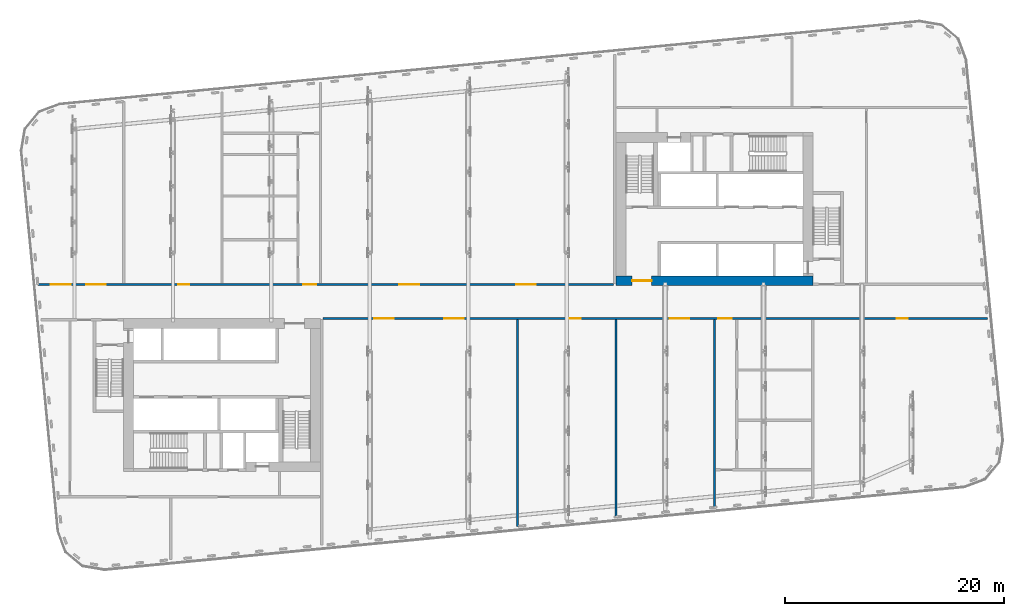
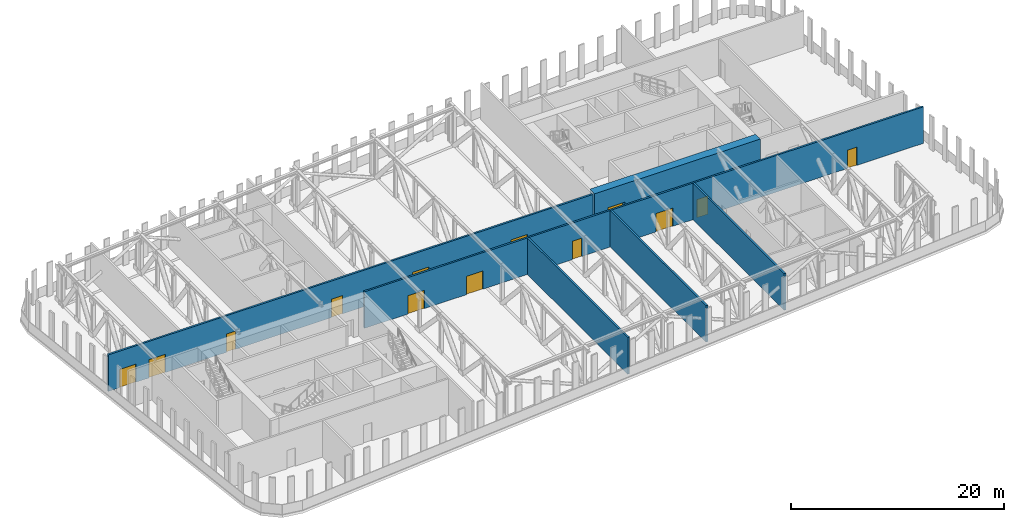
# One storey, part 9 of 22: 13 doors, 6 walls, 13 openings.
"""IFC4 building model written with IfcOpenShell, lengths in metres."""

from ifc_helpers import new_model, si_unit, direction, frame, frame_2d, origin, place, context, subcontext, project, spatial, rectangle, extrude, material, layer, layer_set, type_object, element, fill, save


model = new_model("IFC4")

# Units and contexts
model_context = context("Model", 3, precision=1e-05, world=origin(), true_north=direction((0.0, 1.0)))
body_context = subcontext(model_context, "Body", "Model", "MODEL_VIEW")
ifc_project = project(units=[si_unit("LENGTHUNIT", "METRE"), si_unit("AREAUNIT", "SQUARE_METRE"), si_unit("VOLUMEUNIT", "CUBIC_METRE"), si_unit("PLANEANGLEUNIT", "RADIAN"), si_unit("MASSUNIT", "GRAM", prefix="KILO")], contexts=[model_context])

# Site, building, storey
site_placement = place(None, origin())
site = spatial("IfcSite", under=ifc_project, at=site_placement, CompositionType="ELEMENT")
building_placement = place(site_placement, origin())
building = spatial("IfcBuilding", under=site, at=building_placement, Name="Kajstack Hotel Tower", CompositionType="ELEMENT")
storey_placement = place(building_placement, frame((0.0, 0.0, 150.39990234375)))
storey = spatial("IfcBuildingStorey", under=building, at=storey_placement, Name="L35", CompositionType="ELEMENT", Elevation=150.39990234375)

# Wall, opening, door
ifc_material_1 = material(Name="Concrete C60/75", Category="concrete")
ifc_layer_1 = layer(ifc_material_1, 0.89990234375)
ifc_layer_set_1 = layer_set([ifc_layer_1], Name="Core wall 900")
wall_type_1 = type_object("IfcWallType", Name="Core wall 900", PredefinedType="SHEAR", material=ifc_layer_set_1)
wall_1_placement = place(storey_placement, frame((13.5, 1.949951171875, 0.0), z_axis=(0.0, 0.0, 1.0), x_axis=(1.0, 0.0, 0.0)))
wall_1 = element("IfcWall", 1, at=wall_1_placement, inside=storey, type_object=wall_type_1, Name="Core wall E RN", PredefinedType="SHEAR", context=body_context, shape_type="SweptSolid", body=[
    extrude(rectangle(XDim=18.0, YDim=0.89990234375, at=frame_2d((9.0, 0.0))), origin(), (0.0, 0.0, 1.0), 4.2001953125),
])
opening_1_placement = place(wall_1_placement, frame((1.47509765625, 0.0, 0.0)))
opening_1 = element("IfcOpeningElement", 2, at=opening_1_placement, cuts=wall_1, Name="Opening 35E06", PredefinedType="OPENING", context=body_context, shape_type="SweptSolid", body=[
    extrude(rectangle(XDim=1.800048828125, YDim=2.10009765625, at=frame_2d((0.89990234375, 1.050048828125))), frame((0.0, 0.4599609375, 0.0), z_axis=(0.0, -1.0, 0.0), x_axis=(1.0, 0.0, 0.0)), (0.0, 0.0, 1.0), 0.919921875),
])
ifc_material_2 = material(Name="Glazed steel frame, fire-rated glass", Category="steel")
door_type_1 = type_object("IfcDoorType", Name="Lobby double door 1800", OperationType="DOUBLE_DOOR_DOUBLE_SWING", PredefinedType="DOOR", material=ifc_material_2)
door_1_placement = place(opening_1_placement, origin())
door_1 = element("IfcDoor", 3, at=door_1_placement, inside=storey, type_object=door_type_1, Name="Door 35E06", OperationType="DOUBLE_DOOR_DOUBLE_SWING", OverallHeight=2.10009765625, OverallWidth=1.800048828125, PredefinedType="DOOR", context=body_context, shape_type="SweptSolid", body=[
    extrude(rectangle(XDim=1.800048828125, YDim=2.10009765625, at=frame_2d((0.89990234375, 1.050048828125))), frame((0.0, 0.02490234375, 0.0), z_axis=(0.0, -1.0, 0.0), x_axis=(1.0, 0.0, 0.0)), (0.0, 0.0, 1.0), 0.050048828125),
])
fill(opening_1, door_1)

# Wall, openings, doors
ifc_material_3 = material(Name="Gypsum board on steel studs, mineral wool", Category="steel")
ifc_layer_2 = layer(ifc_material_3, 0.199951171875)
ifc_layer_set_2 = layer_set([ifc_layer_2], Name="Public partition 200")
wall_type_2 = type_object("IfcWallType", Name="Public partition 200", PredefinedType="PARTITIONING", material=ifc_layer_set_2)
wall_2_placement = place(storey_placement, frame((-39.345458984375, 1.60009765625, 0.0), z_axis=(0.0, 0.0, 1.0), x_axis=(1.0, 0.0, 0.0)))
wall_2 = element("IfcWall", 4, at=wall_2_placement, inside=storey, type_object=wall_type_2, Name="Partition FW", PredefinedType="PARTITIONING", context=body_context, shape_type="SweptSolid", body=[
    extrude(rectangle(XDim=52.6455078125, YDim=0.199951171875, at=frame_2d((26.32275390625, 0.0))), origin(), (0.0, 0.0, 1.0), 4.2001953125),
])
opening_2_placement = place(wall_2_placement, frame((43.7353515625, 0.0, 0.0)))
opening_2 = element("IfcOpeningElement", 5, at=opening_2_placement, cuts=wall_2, Name="Opening 35P01", PredefinedType="OPENING", context=body_context, shape_type="SweptSolid", body=[
    extrude(rectangle(XDim=1.800048828125, YDim=2.10009765625, at=frame_2d((0.89990234375, 1.050048828125))), frame((0.0, 0.10986328125, 0.0), z_axis=(0.0, -1.0, 0.0), x_axis=(1.0, 0.0, 0.0)), (0.0, 0.0, 1.0), 0.219970703125),
])
opening_3_placement = place(wall_2_placement, frame((33.055419921875, 0.0, 0.0)))
opening_3 = element("IfcOpeningElement", 6, at=opening_3_placement, cuts=wall_2, Name="Opening 35P02", PredefinedType="OPENING", context=body_context, shape_type="SweptSolid", body=[
    extrude(rectangle(XDim=1.800048828125, YDim=2.10009765625, at=frame_2d((0.89990234375, 1.050048828125))), frame((0.0, 0.10986328125, 0.0), z_axis=(0.0, -1.0, 0.0), x_axis=(1.0, 0.0, 0.0)), (0.0, 0.0, 1.0), 0.219970703125),
])
opening_4_placement = place(wall_2_placement, frame((24.2705078125, 0.0, 0.0)))
opening_4 = element("IfcOpeningElement", 7, at=opening_4_placement, cuts=wall_2, Name="Opening 35P03", PredefinedType="OPENING", context=body_context, shape_type="SweptSolid", body=[
    extrude(rectangle(XDim=1.199951171875, YDim=2.10009765625, at=frame_2d((0.60009765625, 1.050048828125))), frame((0.0, 0.10986328125, 0.0), z_axis=(0.0, -1.0, 0.0), x_axis=(1.0, 0.0, 0.0)), (0.0, 0.0, 1.0), 0.219970703125),
])
opening_5_placement = place(wall_2_placement, frame((12.845458984375, 0.0, 0.0)))
opening_5 = element("IfcOpeningElement", 8, at=opening_5_placement, cuts=wall_2, Name="Opening 35P09", PredefinedType="OPENING", context=body_context, shape_type="SweptSolid", body=[
    extrude(rectangle(XDim=1.0, YDim=2.10009765625, at=frame_2d((0.5, 1.050048828125))), frame((0.0, 0.10986328125, 0.0), z_axis=(0.0, -1.0, 0.0), x_axis=(1.0, 0.0, 0.0)), (0.0, 0.0, 1.0), 0.219970703125),
])
opening_6_placement = place(wall_2_placement, frame((4.42333984375, 0.0, 0.0)))
opening_6 = element("IfcOpeningElement", 9, at=opening_6_placement, cuts=wall_2, Name="Opening 35P10", PredefinedType="OPENING", context=body_context, shape_type="SweptSolid", body=[
    extrude(rectangle(XDim=1.800048828125, YDim=2.10009765625, at=frame_2d((0.89990234375, 1.050048828125))), frame((0.0, 0.10986328125, 0.0), z_axis=(0.0, -1.0, 0.0), x_axis=(1.0, 0.0, 0.0)), (0.0, 0.0, 1.0), 0.219970703125),
])
opening_7_placement = place(wall_2_placement, frame((1.1943359375, 0.0, 0.0)))
opening_7 = element("IfcOpeningElement", 10, at=opening_7_placement, cuts=wall_2, Name="Opening 35P11", PredefinedType="OPENING", context=body_context, shape_type="SweptSolid", body=[
    extrude(rectangle(XDim=1.800048828125, YDim=2.10009765625, at=frame_2d((0.89990234375, 1.050048828125))), frame((0.0, 0.10986328125, 0.0), z_axis=(0.0, -1.0, 0.0), x_axis=(1.0, 0.0, 0.0)), (0.0, 0.0, 1.0), 0.219970703125),
])
ifc_material_4 = material(Name="Timber leaf, fire-rated", Category="wood")
door_type_2 = type_object("IfcDoorType", Name="Public corridor door 1200", OperationType="SINGLE_SWING_LEFT", PredefinedType="DOOR", material=ifc_material_4)
door_2_placement = place(opening_4_placement, origin())
door_2 = element("IfcDoor", 11, at=door_2_placement, inside=storey, type_object=door_type_2, Name="Door 35P03", OperationType="SINGLE_SWING_LEFT", OverallHeight=2.10009765625, OverallWidth=1.199951171875, PredefinedType="DOOR", context=body_context, shape_type="SweptSolid", body=[
    extrude(rectangle(XDim=1.199951171875, YDim=2.10009765625, at=frame_2d((0.60009765625, 1.050048828125))), frame((0.0, 0.02490234375, 0.0), z_axis=(0.0, -1.0, 0.0), x_axis=(1.0, 0.0, 0.0)), (0.0, 0.0, 1.0), 0.050048828125),
])
fill(opening_4, door_2)
ifc_material_5 = material(Name="Glazed timber frame, fire-rated glass", Category="wood")
door_type_3 = type_object("IfcDoorType", Name="Public double door 1800", OperationType="DOUBLE_DOOR_DOUBLE_SWING", PredefinedType="DOOR", material=ifc_material_5)
door_3_placement = place(opening_2_placement, origin())
door_3 = element("IfcDoor", 12, at=door_3_placement, inside=storey, type_object=door_type_3, Name="Door 35P01", OperationType="DOUBLE_DOOR_DOUBLE_SWING", OverallHeight=2.10009765625, OverallWidth=1.800048828125, PredefinedType="DOOR", context=body_context, shape_type="SweptSolid", body=[
    extrude(rectangle(XDim=1.800048828125, YDim=2.10009765625, at=frame_2d((0.89990234375, 1.050048828125))), frame((0.0, 0.02490234375, 0.0), z_axis=(0.0, -1.0, 0.0), x_axis=(1.0, 0.0, 0.0)), (0.0, 0.0, 1.0), 0.050048828125),
])
fill(opening_2, door_3)
door_4_placement = place(opening_3_placement, origin())
door_4 = element("IfcDoor", 13, at=door_4_placement, inside=storey, type_object=door_type_3, Name="Door 35P02", OperationType="DOUBLE_DOOR_DOUBLE_SWING", OverallHeight=2.10009765625, OverallWidth=1.800048828125, PredefinedType="DOOR", context=body_context, shape_type="SweptSolid", body=[
    extrude(rectangle(XDim=1.800048828125, YDim=2.10009765625, at=frame_2d((0.89990234375, 1.050048828125))), frame((0.0, 0.02490234375, 0.0), z_axis=(0.0, -1.0, 0.0), x_axis=(1.0, 0.0, 0.0)), (0.0, 0.0, 1.0), 0.050048828125),
])
fill(opening_3, door_4)
door_5_placement = place(opening_6_placement, origin())
door_5 = element("IfcDoor", 14, at=door_5_placement, inside=storey, type_object=door_type_3, Name="Door 35P10", OperationType="DOUBLE_DOOR_DOUBLE_SWING", OverallHeight=2.10009765625, OverallWidth=1.800048828125, PredefinedType="DOOR", context=body_context, shape_type="SweptSolid", body=[
    extrude(rectangle(XDim=1.800048828125, YDim=2.10009765625, at=frame_2d((0.89990234375, 1.050048828125))), frame((0.0, 0.02490234375, 0.0), z_axis=(0.0, -1.0, 0.0), x_axis=(1.0, 0.0, 0.0)), (0.0, 0.0, 1.0), 0.050048828125),
])
fill(opening_6, door_5)
door_6_placement = place(opening_7_placement, origin())
door_6 = element("IfcDoor", 15, at=door_6_placement, inside=storey, type_object=door_type_3, Name="Door 35P11", OperationType="DOUBLE_DOOR_DOUBLE_SWING", OverallHeight=2.10009765625, OverallWidth=1.800048828125, PredefinedType="DOOR", context=body_context, shape_type="SweptSolid", body=[
    extrude(rectangle(XDim=1.800048828125, YDim=2.10009765625, at=frame_2d((0.89990234375, 1.050048828125))), frame((0.0, 0.02490234375, 0.0), z_axis=(0.0, -1.0, 0.0), x_axis=(1.0, 0.0, 0.0)), (0.0, 0.0, 1.0), 0.050048828125),
])
fill(opening_7, door_6)
ifc_material_6 = material(Name="Timber leaf", Category="wood")
door_type_4 = type_object("IfcDoorType", Name="Public room door 1000", OperationType="SINGLE_SWING_LEFT", PredefinedType="DOOR", material=ifc_material_6)
door_7_placement = place(opening_5_placement, origin())
door_7 = element("IfcDoor", 16, at=door_7_placement, inside=storey, type_object=door_type_4, Name="Door 35P09", OperationType="SINGLE_SWING_LEFT", OverallHeight=2.10009765625, OverallWidth=1.0, PredefinedType="DOOR", context=body_context, shape_type="SweptSolid", body=[
    extrude(rectangle(XDim=1.0, YDim=2.10009765625, at=frame_2d((0.5, 1.050048828125))), frame((0.0, 0.02490234375, 0.0), z_axis=(0.0, -1.0, 0.0), x_axis=(1.0, 0.0, 0.0)), (0.0, 0.0, 1.0), 0.050048828125),
])
fill(opening_5, door_7)

# Walls
wall_3_placement = place(storey_placement, frame((4.5, -20.499267578125, 0.0), z_axis=(0.0, 0.0, 1.0), x_axis=(0.0, 1.0, 0.0)))
element("IfcWall", 17, at=wall_3_placement, inside=storey, type_object=wall_type_2, Name="Partition SPX0", PredefinedType="PARTITIONING", context=body_context, shape_type="SweptSolid", body=[
    extrude(rectangle(XDim=18.899169921875, YDim=0.199951171875, at=frame_2d((9.44970703125, 0.0))), origin(), (0.0, 0.0, 1.0), 4.2001953125),
])
wall_4_placement = place(storey_placement, frame((13.5, -19.632568359375, 0.0), z_axis=(0.0, 0.0, 1.0), x_axis=(0.0, 1.0, 0.0)))
element("IfcWall", 18, at=wall_4_placement, inside=storey, type_object=wall_type_2, Name="Partition SPX1", PredefinedType="PARTITIONING", context=body_context, shape_type="SweptSolid", body=[
    extrude(rectangle(XDim=18.032470703125, YDim=0.199951171875, at=frame_2d((9.01611328125, 0.0))), origin(), (0.0, 0.0, 1.0), 4.2001953125),
])
wall_5_placement = place(storey_placement, frame((22.5, -18.76611328125, 0.0), z_axis=(0.0, 0.0, 1.0), x_axis=(0.0, 1.0, 0.0)))
element("IfcWall", 19, at=wall_5_placement, inside=storey, type_object=wall_type_2, Name="Partition SPX2", PredefinedType="PARTITIONING", context=body_context, shape_type="SweptSolid", body=[
    extrude(rectangle(XDim=17.166015625, YDim=0.199951171875, at=frame_2d((8.5830078125, 0.0))), origin(), (0.0, 0.0, 1.0), 4.2001953125),
])

# Wall, openings, doors
wall_6_placement = place(storey_placement, frame((-13.300048828125, -1.5, 0.0), z_axis=(0.0, 0.0, 1.0), x_axis=(1.0, 0.0, 0.0)))
wall_6 = element("IfcWall", 20, at=wall_6_placement, inside=storey, type_object=wall_type_2, Name="Partition SFW", PredefinedType="PARTITIONING", context=body_context, shape_type="SweptSolid", body=[
    extrude(rectangle(XDim=60.760986328125, YDim=0.199951171875, at=frame_2d((30.38037109375, 0.0))), origin(), (0.0, 0.0, 1.0), 4.2001953125),
])
opening_8_placement = place(wall_6_placement, frame((4.7099609375, 0.0, 0.0)))
opening_8 = element("IfcOpeningElement", 21, at=opening_8_placement, cuts=wall_6, Name="Opening 35P12", PredefinedType="OPENING", context=body_context, shape_type="SweptSolid", body=[
    extrude(rectangle(XDim=1.800048828125, YDim=2.10009765625, at=frame_2d((0.89990234375, 1.050048828125))), frame((0.0, 0.10986328125, 0.0), z_axis=(0.0, -1.0, 0.0), x_axis=(1.0, 0.0, 0.0)), (0.0, 0.0, 1.0), 0.219970703125),
])
opening_9_placement = place(wall_6_placement, frame((11.090087890625, 0.0, 0.0)))
opening_9 = element("IfcOpeningElement", 22, at=opening_9_placement, cuts=wall_6, Name="Opening 35P13", PredefinedType="OPENING", context=body_context, shape_type="SweptSolid", body=[
    extrude(rectangle(XDim=1.800048828125, YDim=2.10009765625, at=frame_2d((0.89990234375, 1.050048828125))), frame((0.0, 0.10986328125, 0.0), z_axis=(0.0, -1.0, 0.0), x_axis=(1.0, 0.0, 0.0)), (0.0, 0.0, 1.0), 0.219970703125),
])
opening_10_placement = place(wall_6_placement, frame((22.60009765625, 0.0, 0.0)))
opening_10 = element("IfcOpeningElement", 23, at=opening_10_placement, cuts=wall_6, Name="Opening 35P14", PredefinedType="OPENING", context=body_context, shape_type="SweptSolid", body=[
    extrude(rectangle(XDim=1.0, YDim=2.10009765625, at=frame_2d((0.5, 1.050048828125))), frame((0.0, 0.10986328125, 0.0), z_axis=(0.0, -1.0, 0.0), x_axis=(1.0, 0.0, 0.0)), (0.0, 0.0, 1.0), 0.219970703125),
])
opening_11_placement = place(wall_6_placement, frame((31.699951171875, 0.0, 0.0)))
opening_11 = element("IfcOpeningElement", 24, at=opening_11_placement, cuts=wall_6, Name="Opening 35P15", PredefinedType="OPENING", context=body_context, shape_type="SweptSolid", body=[
    extrude(rectangle(XDim=1.800048828125, YDim=2.10009765625, at=frame_2d((0.89990234375, 1.050048828125))), frame((0.0, 0.10986328125, 0.0), z_axis=(0.0, -1.0, 0.0), x_axis=(1.0, 0.0, 0.0)), (0.0, 0.0, 1.0), 0.219970703125),
])
opening_12_placement = place(wall_6_placement, frame((36.175048828125, 0.0, 0.0)))
opening_12 = element("IfcOpeningElement", 25, at=opening_12_placement, cuts=wall_6, Name="Opening 35P16", PredefinedType="OPENING", context=body_context, shape_type="SweptSolid", body=[
    extrude(rectangle(XDim=1.199951171875, YDim=2.10009765625, at=frame_2d((0.60009765625, 1.050048828125))), frame((0.0, 0.10986328125, 0.0), z_axis=(0.0, -1.0, 0.0), x_axis=(1.0, 0.0, 0.0)), (0.0, 0.0, 1.0), 0.219970703125),
])
opening_13_placement = place(wall_6_placement, frame((52.493896484375, 0.0, 0.0)))
opening_13 = element("IfcOpeningElement", 26, at=opening_13_placement, cuts=wall_6, Name="Opening 35P21", PredefinedType="OPENING", context=body_context, shape_type="SweptSolid", body=[
    extrude(rectangle(XDim=1.0, YDim=2.10009765625, at=frame_2d((0.5, 1.050048828125))), frame((0.0, 0.10986328125, 0.0), z_axis=(0.0, -1.0, 0.0), x_axis=(1.0, 0.0, 0.0)), (0.0, 0.0, 1.0), 0.219970703125),
])
door_8_placement = place(opening_12_placement, origin())
door_8 = element("IfcDoor", 27, at=door_8_placement, inside=storey, type_object=door_type_2, Name="Door 35P16", OperationType="SINGLE_SWING_RIGHT", OverallHeight=2.10009765625, OverallWidth=1.199951171875, PredefinedType="DOOR", context=body_context, shape_type="SweptSolid", body=[
    extrude(rectangle(XDim=1.199951171875, YDim=2.10009765625, at=frame_2d((0.60009765625, 1.050048828125))), frame((0.0, 0.02490234375, 0.0), z_axis=(0.0, -1.0, 0.0), x_axis=(1.0, 0.0, 0.0)), (0.0, 0.0, 1.0), 0.050048828125),
])
fill(opening_12, door_8)
door_9_placement = place(opening_8_placement, origin())
door_9 = element("IfcDoor", 28, at=door_9_placement, inside=storey, type_object=door_type_3, Name="Door 35P12", OperationType="DOUBLE_DOOR_DOUBLE_SWING", OverallHeight=2.10009765625, OverallWidth=1.800048828125, PredefinedType="DOOR", context=body_context, shape_type="SweptSolid", body=[
    extrude(rectangle(XDim=1.800048828125, YDim=2.10009765625, at=frame_2d((0.89990234375, 1.050048828125))), frame((0.0, 0.02490234375, 0.0), z_axis=(0.0, -1.0, 0.0), x_axis=(1.0, 0.0, 0.0)), (0.0, 0.0, 1.0), 0.050048828125),
])
fill(opening_8, door_9)
door_10_placement = place(opening_9_placement, origin())
door_10 = element("IfcDoor", 29, at=door_10_placement, inside=storey, type_object=door_type_3, Name="Door 35P13", OperationType="DOUBLE_DOOR_DOUBLE_SWING", OverallHeight=2.10009765625, OverallWidth=1.800048828125, PredefinedType="DOOR", context=body_context, shape_type="SweptSolid", body=[
    extrude(rectangle(XDim=1.800048828125, YDim=2.10009765625, at=frame_2d((0.89990234375, 1.050048828125))), frame((0.0, 0.02490234375, 0.0), z_axis=(0.0, -1.0, 0.0), x_axis=(1.0, 0.0, 0.0)), (0.0, 0.0, 1.0), 0.050048828125),
])
fill(opening_9, door_10)
door_11_placement = place(opening_11_placement, origin())
door_11 = element("IfcDoor", 30, at=door_11_placement, inside=storey, type_object=door_type_3, Name="Door 35P15", OperationType="DOUBLE_DOOR_DOUBLE_SWING", OverallHeight=2.10009765625, OverallWidth=1.800048828125, PredefinedType="DOOR", context=body_context, shape_type="SweptSolid", body=[
    extrude(rectangle(XDim=1.800048828125, YDim=2.10009765625, at=frame_2d((0.89990234375, 1.050048828125))), frame((0.0, 0.02490234375, 0.0), z_axis=(0.0, -1.0, 0.0), x_axis=(1.0, 0.0, 0.0)), (0.0, 0.0, 1.0), 0.050048828125),
])
fill(opening_11, door_11)
door_12_placement = place(opening_10_placement, origin())
door_12 = element("IfcDoor", 31, at=door_12_placement, inside=storey, type_object=door_type_4, Name="Door 35P14", OperationType="SINGLE_SWING_RIGHT", OverallHeight=2.10009765625, OverallWidth=1.0, PredefinedType="DOOR", context=body_context, shape_type="SweptSolid", body=[
    extrude(rectangle(XDim=1.0, YDim=2.10009765625, at=frame_2d((0.5, 1.050048828125))), frame((0.0, 0.02490234375, 0.0), z_axis=(0.0, -1.0, 0.0), x_axis=(1.0, 0.0, 0.0)), (0.0, 0.0, 1.0), 0.050048828125),
])
fill(opening_10, door_12)
door_13_placement = place(opening_13_placement, origin())
door_13 = element("IfcDoor", 32, at=door_13_placement, inside=storey, type_object=door_type_4, Name="Door 35P21", OperationType="SINGLE_SWING_RIGHT", OverallHeight=2.10009765625, OverallWidth=1.0, PredefinedType="DOOR", context=body_context, shape_type="SweptSolid", body=[
    extrude(rectangle(XDim=1.0, YDim=2.10009765625, at=frame_2d((0.5, 1.050048828125))), frame((0.0, 0.02490234375, 0.0), z_axis=(0.0, -1.0, 0.0), x_axis=(1.0, 0.0, 0.0)), (0.0, 0.0, 1.0), 0.050048828125),
])
fill(opening_13, door_13)

save(model, "model.ifc")
